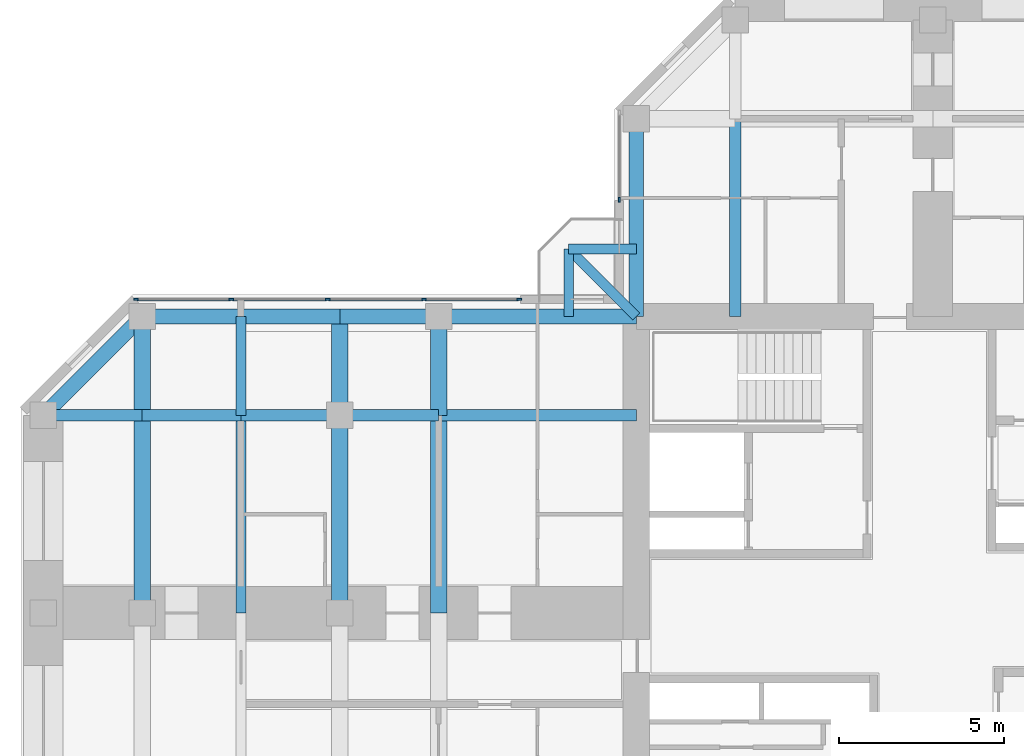
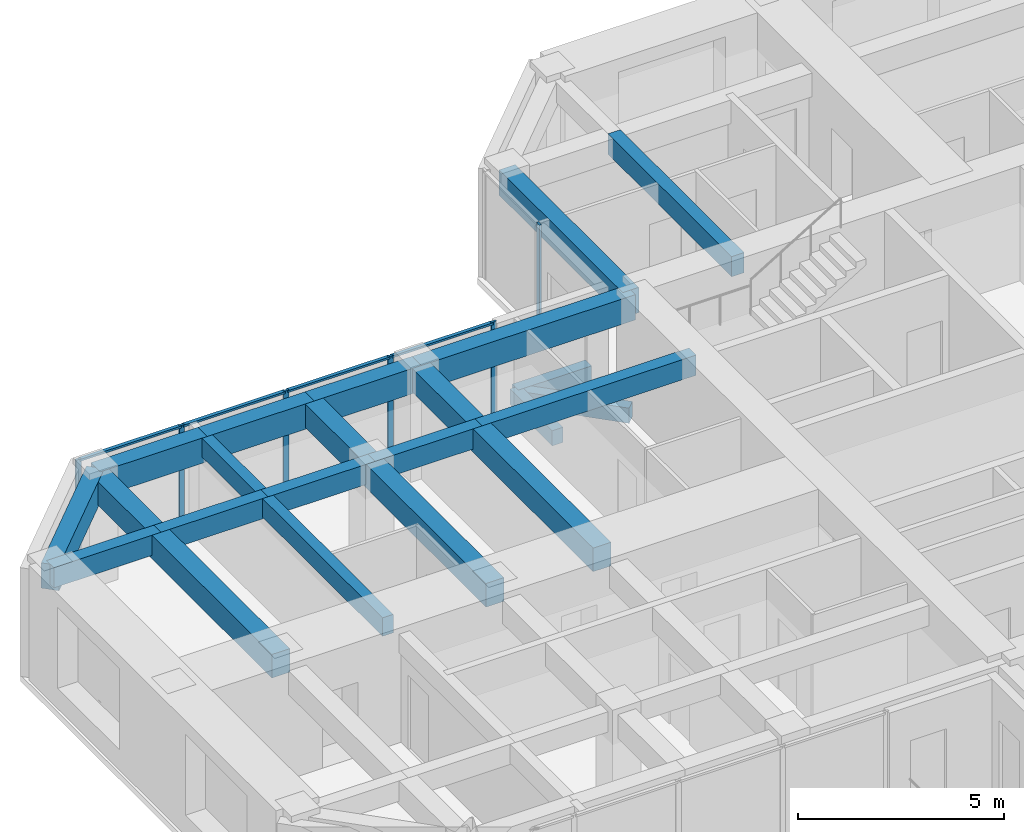
# One storey, part 4 of 13: 23 beams, 10 members, 2 elements without a shape of their own.
"""IFC4 building model written with IfcOpenShell, lengths in metres."""

from ifc_helpers import new_model, si_unit, direction, frame, origin, origin_2d, place, context, subcontext, project, spatial, rectangle, extrude, material, material_profile, profile_set, type_object, element, aggregate, save


model = new_model("IFC4")

# Units and contexts
model_context = context("Model", 3, precision=1e-05, world=origin(), true_north=direction((0.0, 1.0)))
body_context = subcontext(model_context, "Body", "Model", "MODEL_VIEW")
ifc_project = project(units=[si_unit("LENGTHUNIT", "METRE"), si_unit("AREAUNIT", "SQUARE_METRE"), si_unit("VOLUMEUNIT", "CUBIC_METRE"), si_unit("PLANEANGLEUNIT", "RADIAN"), si_unit("MASSUNIT", "GRAM", prefix="KILO")], contexts=[model_context])

# Site, building, storey
site_placement = place(None, origin())
site = spatial("IfcSite", under=ifc_project, at=site_placement, CompositionType="ELEMENT")
building_placement = place(site_placement, origin())
building = spatial("IfcBuilding", under=site, at=building_placement, Name="Torre Cruceta", CompositionType="ELEMENT")
storey_placement = place(building_placement, frame((0.0, 0.0, 239.10009765625)))
storey = spatial("IfcBuildingStorey", under=building, at=storey_placement, Name="L61", CompositionType="ELEMENT", Elevation=239.10009765625)

# Beams
ifc_material_1 = material(Name="Concrete G60 (fck 60 MPa)", Category="concrete")
ifc_material_profile_1 = material_profile(ifc_material_1, rectangle(XDim=0.300048828125, YDim=0.449951171875, at=origin_2d()), Name="RC 300X450")
ifc_profile_set_1 = profile_set([ifc_material_profile_1], Name="Concrete G60 (fck 60 MPa)")
beam_type_1 = type_object("IfcBeamType", Name="BALCONY CANTILEVER BEAM RC 300X450", PredefinedType="BEAM", material=ifc_profile_set_1)
beam_1_placement = place(storey_placement, frame((-9.0, 9.0, -0.405029296875), z_axis=(-0.707106781187, 0.707106781187, 0.0), x_axis=(-0.707106781187, -0.707106781187, 0.0)))
element("IfcBeam", 1, at=beam_1_placement, inside=storey, type_object=beam_type_1, Name="BB1 balcony beam L61 N", PredefinedType="BEAM", context=body_context, shape_type="SweptSolid", body=[
    extrude(rectangle(XDim=0.300048828125, YDim=0.449951171875, at=origin_2d()), origin(), (0.0, 0.0, 1.0), 2.89990234375),
])
for number, where, z_axis, x_axis, name in (
    (2, (-11.050537109375, 9.0, -0.405029296875), (0.0, 1.0, 0.0), (-1.0, 0.0, 0.0), "BB1 balcony edge beam L61 N-X"),
    (3, (-9.0, 11.050537109375, -0.405029296875), (-1.0, 0.0, 0.0), (0.0, -1.0, 0.0), "BB1 balcony edge beam L61 N-Y"),
):
    element("IfcBeam", number, at=place(storey_placement, frame(where, z_axis=z_axis, x_axis=x_axis)), inside=storey, type_object=beam_type_1, Name=name, PredefinedType="BEAM", context=body_context, shape_type="SweptSolid", body=[
        extrude(rectangle(XDim=0.300048828125, YDim=0.449951171875, at=origin_2d()), origin(), (0.0, 0.0, 1.0), 2.050537109375),
    ])
ifc_material_2 = material(Name="Concrete G60 (fck 60 MPa)", Category="concrete")
ifc_material_profile_2 = material_profile(ifc_material_2, rectangle(XDim=0.35009765625, YDim=0.60009765625, at=origin_2d()), Name="RC 350X600")
ifc_profile_set_2 = profile_set([ifc_material_profile_2], Name="Concrete G60 (fck 60 MPa)")
beam_type_2 = type_object("IfcBeamType", Name="COLUMN LINE BEAM RC 350X600", PredefinedType="BEAM", material=ifc_profile_set_2)
for number, where, z_axis, x_axis, name in (
    (4, (-6.0, 9.0, 2.919921875), (0.0, 1.0, 0.0), (-1.0, 0.0, 0.0), "LB9 L61 N col+ 1"),
    (5, (-9.0, 6.0, 2.919921875), (-1.0, 0.0, 0.0), (0.0, -1.0, 0.0), "LB9 L61 W col- 1"),
):
    element("IfcBeam", number, at=place(storey_placement, frame(where, z_axis=z_axis, x_axis=x_axis)), inside=storey, type_object=beam_type_2, Name=name, PredefinedType="BEAM", context=body_context, shape_type="SweptSolid", body=[
        extrude(rectangle(XDim=0.35009765625, YDim=0.60009765625, at=origin_2d()), origin(), (0.0, 0.0, 1.0), 6.0),
    ])
for number, where, z_axis, x_axis, name in (
    (6, (-15.0, 6.0, 2.919921875), (-1.0, 0.0, 0.0), (0.0, -1.0, 0.0), "LB9 L61 W col- 2"),
    (7, (-18.0, 6.0, 2.919921875), (-1.0, 0.0, 0.0), (0.0, -1.0, 0.0), "LB9 L61 W col- 3"),
    (8, (-21.0, 6.0, 2.919921875), (-1.0, 0.0, 0.0), (0.0, -1.0, 0.0), "LB9 L61 W col- 4"),
    (9, (-24.0, 6.0, 2.919921875), (-1.0, 0.0, 0.0), (0.0, -1.0, 0.0), "LB9 L61 W col- 5"),
):
    element("IfcBeam", number, at=place(storey_placement, frame(where, z_axis=z_axis, x_axis=x_axis)), inside=storey, type_object=beam_type_2, Name=name, PredefinedType="BEAM", context=body_context, shape_type="SweptSolid", body=[
        extrude(rectangle(XDim=0.35009765625, YDim=0.60009765625, at=origin_2d()), origin(), (0.0, 0.0, 1.0), 3.0),
    ])
ifc_material_3 = material(Name="Concrete G60 (fck 60 MPa)", Category="concrete")
ifc_material_profile_3 = material_profile(ifc_material_3, rectangle(XDim=0.5, YDim=0.699951171875, at=origin_2d()), Name="RC 500X700")
ifc_profile_set_3 = profile_set([ifc_material_profile_3], Name="Concrete G60 (fck 60 MPa)")
beam_type_3 = type_object("IfcBeamType", Name="CROSS BEAM RC 500X700", PredefinedType="BEAM", material=ifc_profile_set_3)
beam_2_placement = place(storey_placement, frame((-15.0, 9.0, 2.869873046875), z_axis=(0.0, -1.0, 0.0), x_axis=(1.0, 0.0, 0.0)))
element("IfcBeam", 10, at=beam_2_placement, inside=storey, type_object=beam_type_3, Name="GB7 L61 W cross15 1", PredefinedType="BEAM", context=body_context, shape_type="SweptSolid", body=[
    extrude(rectangle(XDim=0.5, YDim=0.699951171875, at=origin_2d()), origin(), (0.0, 0.0, 1.0), 3.0),
])
beam_3_placement = place(storey_placement, frame((-15.0, 6.0, 2.869873046875), z_axis=(0.0, -1.0, 0.0), x_axis=(1.0, 0.0, 0.0)))
element("IfcBeam", 11, at=beam_3_placement, inside=storey, type_object=beam_type_3, Name="GB7 L61 W cross15 2", PredefinedType="BEAM", context=body_context, shape_type="SweptSolid", body=[
    extrude(rectangle(XDim=0.5, YDim=0.699951171875, at=origin_2d()), origin(), (0.0, 0.0, 1.0), 6.0),
])
beam_4_placement = place(storey_placement, frame((-18.0, 9.0, 2.869873046875), z_axis=(0.0, -1.0, 0.0), x_axis=(1.0, 0.0, 0.0)))
element("IfcBeam", 12, at=beam_4_placement, inside=storey, type_object=beam_type_3, Name="GB7 L61 W cross18 1", PredefinedType="BEAM", context=body_context, shape_type="SweptSolid", body=[
    extrude(rectangle(XDim=0.5, YDim=0.699951171875, at=origin_2d()), origin(), (0.0, 0.0, 1.0), 3.0),
])
beam_5_placement = place(storey_placement, frame((-18.0, 6.0, 2.869873046875), z_axis=(0.0, -1.0, 0.0), x_axis=(1.0, 0.0, 0.0)))
element("IfcBeam", 13, at=beam_5_placement, inside=storey, type_object=beam_type_3, Name="GB7 L61 W cross18 2", PredefinedType="BEAM", context=body_context, shape_type="SweptSolid", body=[
    extrude(rectangle(XDim=0.5, YDim=0.699951171875, at=origin_2d()), origin(), (0.0, 0.0, 1.0), 6.0),
])
beam_6_placement = place(storey_placement, frame((-24.0, 9.0, 2.869873046875), z_axis=(0.0, -1.0, 0.0), x_axis=(1.0, 0.0, 0.0)))
element("IfcBeam", 14, at=beam_6_placement, inside=storey, type_object=beam_type_3, Name="GB7 L61 W cross24 1", PredefinedType="BEAM", context=body_context, shape_type="SweptSolid", body=[
    extrude(rectangle(XDim=0.5, YDim=0.699951171875, at=origin_2d()), origin(), (0.0, 0.0, 1.0), 3.0),
])
beam_7_placement = place(storey_placement, frame((-24.0, 6.0, 2.869873046875), z_axis=(0.0, -1.0, 0.0), x_axis=(1.0, 0.0, 0.0)))
element("IfcBeam", 15, at=beam_7_placement, inside=storey, type_object=beam_type_3, Name="GB7 L61 W cross24 2", PredefinedType="BEAM", context=body_context, shape_type="SweptSolid", body=[
    extrude(rectangle(XDim=0.5, YDim=0.699951171875, at=origin_2d()), origin(), (0.0, 0.0, 1.0), 6.0),
])

# Curtain wall, member
ifc_material_4 = material(Name="Aluminium unitised curtain wall", Category="aluminium")
curtain_wall_type = type_object("IfcCurtainWallType", Name="CURTAIN WALL CW-D CO-LIVING UPPER", PredefinedType="USERDEFINED", material=ifc_material_4)
curtain_wall_1_placement = place(storey_placement, origin())
curtain_wall_1 = element("IfcCurtainWall", 16, at=curtain_wall_1_placement, inside=storey, type_object=curtain_wall_type, Name="CW-D L61 N side 09", ObjectType="UNITISED", PredefinedType="USERDEFINED")
ifc_material_5 = material(Name="Aluminium mullion", Category="aluminium")
ifc_material_profile_4 = material_profile(ifc_material_5, rectangle(XDim=0.06005859375, YDim=0.14990234375, at=origin_2d()), Name="AL 60X150")
ifc_profile_set_4 = profile_set([ifc_material_profile_4], Name="Aluminium mullion")
member_type_1 = type_object("IfcMemberType", Name="CW-D MULLION 60X150", PredefinedType="MULLION", material=ifc_profile_set_4)
member_1_placement = place(storey_placement, frame((-9.52001953125, 12.550048828125, 0.0), z_axis=(0.0, 0.0, 1.0), x_axis=(1.0, 0.0, 0.0)))
member_1 = element("IfcMember", 17, at=member_1_placement, type_object=member_type_1, Name="CW-D mullion 2", PredefinedType="MULLION", context=body_context, shape_type="SweptSolid", body=[
    extrude(rectangle(XDim=0.06005859375, YDim=0.14990234375, at=origin_2d()), origin(), (0.0, 0.0, 1.0), 3.219970703125),
])
aggregate(curtain_wall_1, [member_1])

# Curtain wall, members
curtain_wall_2_placement = place(storey_placement, origin())
curtain_wall_2 = element("IfcCurtainWall", 18, at=curtain_wall_2_placement, inside=storey, type_object=curtain_wall_type, Name="CW-D L61 W side 10", ObjectType="UNITISED", PredefinedType="USERDEFINED")
member_2_placement = place(storey_placement, frame((-12.550048828125, 9.52001953125, 0.0), z_axis=(0.0, 0.0, 1.0), x_axis=(0.0, -1.0, 0.0)))
member_2 = element("IfcMember", 19, at=member_2_placement, type_object=member_type_1, Name="CW-D mullion 1", PredefinedType="MULLION", context=body_context, shape_type="SweptSolid", body=[
    extrude(rectangle(XDim=0.06005859375, YDim=0.14990234375, at=origin_2d()), origin(), (0.0, 0.0, 1.0), 3.219970703125),
])
member_3_placement = place(storey_placement, frame((-15.44384765625, 9.52001953125, 0.0), z_axis=(0.0, 0.0, 1.0), x_axis=(0.0, -1.0, 0.0)))
member_3 = element("IfcMember", 20, at=member_3_placement, type_object=member_type_1, Name="CW-D mullion 2", PredefinedType="MULLION", context=body_context, shape_type="SweptSolid", body=[
    extrude(rectangle(XDim=0.06005859375, YDim=0.14990234375, at=origin_2d()), origin(), (0.0, 0.0, 1.0), 3.219970703125),
])
member_4_placement = place(storey_placement, frame((-18.36767578125, 9.52001953125, 0.0), z_axis=(0.0, 0.0, 1.0), x_axis=(0.0, -1.0, 0.0)))
member_4 = element("IfcMember", 21, at=member_4_placement, type_object=member_type_1, Name="CW-D mullion 3", PredefinedType="MULLION", context=body_context, shape_type="SweptSolid", body=[
    extrude(rectangle(XDim=0.06005859375, YDim=0.14990234375, at=origin_2d()), origin(), (0.0, 0.0, 1.0), 3.219970703125),
])
member_5_placement = place(storey_placement, frame((-21.29150390625, 9.52001953125, 0.0), z_axis=(0.0, 0.0, 1.0), x_axis=(0.0, -1.0, 0.0)))
member_5 = element("IfcMember", 22, at=member_5_placement, type_object=member_type_1, Name="CW-D mullion 4", PredefinedType="MULLION", context=body_context, shape_type="SweptSolid", body=[
    extrude(rectangle(XDim=0.06005859375, YDim=0.14990234375, at=origin_2d()), origin(), (0.0, 0.0, 1.0), 3.219970703125),
])
member_6_placement = place(storey_placement, frame((-24.185302734375, 9.52001953125, 0.0), z_axis=(0.0, 0.0, 1.0), x_axis=(0.0, -1.0, 0.0)))
member_6 = element("IfcMember", 23, at=member_6_placement, type_object=member_type_1, Name="CW-D mullion 5", PredefinedType="MULLION", context=body_context, shape_type="SweptSolid", body=[
    extrude(rectangle(XDim=0.06005859375, YDim=0.14990234375, at=origin_2d()), origin(), (0.0, 0.0, 1.0), 3.219970703125),
])
ifc_material_6 = material(Name="Aluminium transom", Category="aluminium")
ifc_material_profile_5 = material_profile(ifc_material_6, rectangle(XDim=0.10009765625, YDim=0.06005859375, at=origin_2d()), Name="AL 100X60")
ifc_profile_set_5 = profile_set([ifc_material_profile_5], Name="Aluminium transom")
member_type_2 = type_object("IfcMemberType", Name="CW-D TRANSOM 60X100", PredefinedType="USERDEFINED", material=ifc_profile_set_5)
member_7_placement = place(storey_placement, frame((-12.580078125, 9.52001953125, 3.18994140625), z_axis=(-1.0, 0.0, 0.0), x_axis=(0.0, -1.0, 0.0)))
member_7 = element("IfcMember", 24, at=member_7_placement, type_object=member_type_2, Name="CW-D transom 1", ObjectType="TRANSOM", PredefinedType="USERDEFINED", context=body_context, shape_type="SweptSolid", body=[
    extrude(rectangle(XDim=0.10009765625, YDim=0.06005859375, at=origin_2d()), origin(), (0.0, 0.0, 1.0), 2.833740234375),
])
member_8_placement = place(storey_placement, frame((-15.473876953125, 9.52001953125, 3.18994140625), z_axis=(-1.0, 0.0, 0.0), x_axis=(0.0, -1.0, 0.0)))
member_8 = element("IfcMember", 25, at=member_8_placement, type_object=member_type_2, Name="CW-D transom 2", ObjectType="TRANSOM", PredefinedType="USERDEFINED", context=body_context, shape_type="SweptSolid", body=[
    extrude(rectangle(XDim=0.10009765625, YDim=0.06005859375, at=origin_2d()), origin(), (0.0, 0.0, 1.0), 2.86376953125),
])
member_9_placement = place(storey_placement, frame((-18.397705078125, 9.52001953125, 3.18994140625), z_axis=(-1.0, 0.0, 0.0), x_axis=(0.0, -1.0, 0.0)))
member_9 = element("IfcMember", 26, at=member_9_placement, type_object=member_type_2, Name="CW-D transom 3", ObjectType="TRANSOM", PredefinedType="USERDEFINED", context=body_context, shape_type="SweptSolid", body=[
    extrude(rectangle(XDim=0.10009765625, YDim=0.06005859375, at=origin_2d()), origin(), (0.0, 0.0, 1.0), 2.86376953125),
])
member_10_placement = place(storey_placement, frame((-21.321533203125, 9.52001953125, 3.18994140625), z_axis=(-1.0, 0.0, 0.0), x_axis=(0.0, -1.0, 0.0)))
member_10 = element("IfcMember", 27, at=member_10_placement, type_object=member_type_2, Name="CW-D transom 4", ObjectType="TRANSOM", PredefinedType="USERDEFINED", context=body_context, shape_type="SweptSolid", body=[
    extrude(rectangle(XDim=0.10009765625, YDim=0.06005859375, at=origin_2d()), origin(), (0.0, 0.0, 1.0), 2.833740234375),
])
aggregate(curtain_wall_2, [member_2, member_3, member_4, member_5, member_6, member_7, member_8, member_9, member_10])

# Beams
ifc_material_7 = material(Name="Concrete G60 (fck 60 MPa)", Category="concrete")
ifc_material_profile_6 = material_profile(ifc_material_7, rectangle(XDim=0.300048828125, YDim=0.550048828125, at=origin_2d()), Name="RC 300X550")
ifc_profile_set_6 = profile_set([ifc_material_profile_6], Name="Concrete G60 (fck 60 MPa)")
beam_type_4 = type_object("IfcBeamType", Name="SECONDARY BEAM RC 300X550", PredefinedType="JOIST", material=ifc_profile_set_6)
beam_8_placement = place(storey_placement, frame((-21.0, 9.0, 2.94482421875), z_axis=(0.0, -1.0, 0.0), x_axis=(1.0, 0.0, 0.0)))
element("IfcBeam", 28, at=beam_8_placement, inside=storey, type_object=beam_type_4, Name="JB7 L61 W sec21 1", PredefinedType="JOIST", context=body_context, shape_type="SweptSolid", body=[
    extrude(rectangle(XDim=0.300048828125, YDim=0.550048828125, at=origin_2d()), origin(), (0.0, 0.0, 1.0), 3.0),
])
beam_9_placement = place(storey_placement, frame((-21.0, 6.0, 2.94482421875), z_axis=(0.0, -1.0, 0.0), x_axis=(1.0, 0.0, 0.0)))
element("IfcBeam", 29, at=beam_9_placement, inside=storey, type_object=beam_type_4, Name="JB7 L61 W sec21 2", PredefinedType="JOIST", context=body_context, shape_type="SweptSolid", body=[
    extrude(rectangle(XDim=0.300048828125, YDim=0.550048828125, at=origin_2d()), origin(), (0.0, 0.0, 1.0), 6.0),
])
ifc_material_8 = material(Name="Concrete G60 (fck 60 MPa)", Category="concrete")
ifc_material_profile_7 = material_profile(ifc_material_8, rectangle(XDim=0.449951171875, YDim=0.75, at=origin_2d()), Name="RC 450X750")
ifc_profile_set_7 = profile_set([ifc_material_profile_7], Name="Concrete G60 (fck 60 MPa)")
beam_type_5 = type_object("IfcBeamType", Name="SPANDREL BEAM RC 450X750", PredefinedType="SPANDREL", material=ifc_profile_set_7)
for number, where, z_axis, x_axis, name in (
    (30, (-9.0, 9.0, 2.844970703125), (0.0, 1.0, 0.0), (-1.0, 0.0, 0.0), "SB7 L61 N side+ 1"),
    (31, (-9.0, 9.0, 2.844970703125), (-1.0, 0.0, 0.0), (0.0, -1.0, 0.0), "SB7 L61 W side- 1"),
):
    element("IfcBeam", number, at=place(storey_placement, frame(where, z_axis=z_axis, x_axis=x_axis)), inside=storey, type_object=beam_type_5, Name=name, PredefinedType="SPANDREL", context=body_context, shape_type="SweptSolid", body=[
        extrude(rectangle(XDim=0.449951171875, YDim=0.75, at=origin_2d()), origin(), (0.0, 0.0, 1.0), 6.0),
    ])
for number, where, z_axis, x_axis, name in (
    (32, (-15.0, 9.0, 2.844970703125), (-1.0, 0.0, 0.0), (0.0, -1.0, 0.0), "SB7 L61 W side- 2"),
    (33, (-18.0, 9.0, 2.844970703125), (-1.0, 0.0, 0.0), (0.0, -1.0, 0.0), "SB7 L61 W side- 3"),
    (34, (-21.0, 9.0, 2.844970703125), (-1.0, 0.0, 0.0), (0.0, -1.0, 0.0), "SB7 L61 W side- 4"),
):
    element("IfcBeam", number, at=place(storey_placement, frame(where, z_axis=z_axis, x_axis=x_axis)), inside=storey, type_object=beam_type_5, Name=name, PredefinedType="SPANDREL", context=body_context, shape_type="SweptSolid", body=[
        extrude(rectangle(XDim=0.449951171875, YDim=0.75, at=origin_2d()), origin(), (0.0, 0.0, 1.0), 3.0),
    ])
beam_10_placement = place(storey_placement, frame((-24.0, 9.0, 2.844970703125), z_axis=(-0.707106781187, -0.707106781187, 0.0), x_axis=(0.707106781187, -0.707106781187, 0.0)))
element("IfcBeam", 35, at=beam_10_placement, inside=storey, type_object=beam_type_5, Name="SB7 L61 W side- 5", PredefinedType="SPANDREL", context=body_context, shape_type="SweptSolid", body=[
    extrude(rectangle(XDim=0.449951171875, YDim=0.75, at=origin_2d()), origin(), (0.0, 0.0, 1.0), 4.24267578125),
])

save(model, "model.ifc")
